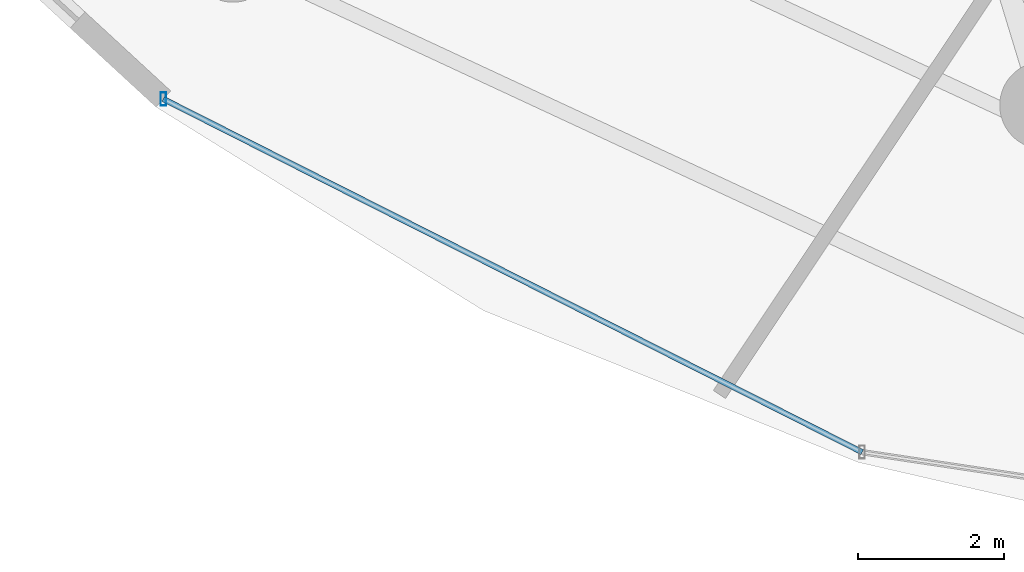
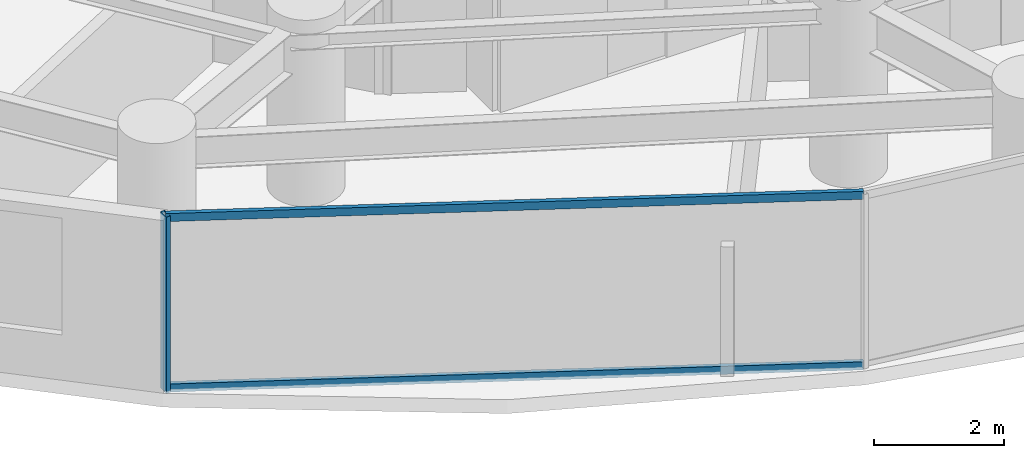
# One storey, part 2 of 34: 3 members, 1 element without a shape of its own.
"""IFC4 building model written with IfcOpenShell, lengths in metres."""

from ifc_helpers import new_model, si_unit, direction, frame, origin, origin_2d, place, context, subcontext, project, spatial, hollow_rectangle, extrude, material, material_profile, profile_set, type_object, element, aggregate, save


model = new_model("IFC4")

# Units and contexts
model_context = context("Model", 3, precision=1e-05, world=origin(), true_north=direction((0.0, 1.0)))
body_context = subcontext(model_context, "Body", "Model", "MODEL_VIEW")
ifc_project = project(units=[si_unit("LENGTHUNIT", "METRE"), si_unit("AREAUNIT", "SQUARE_METRE"), si_unit("VOLUMEUNIT", "CUBIC_METRE"), si_unit("PLANEANGLEUNIT", "RADIAN"), si_unit("MASSUNIT", "GRAM", prefix="KILO")], contexts=[model_context])

# Site, building, storey
site_placement = place(None, origin())
site = spatial("IfcSite", under=ifc_project, at=site_placement, CompositionType="ELEMENT")
building_placement = place(site_placement, origin())
building = spatial("IfcBuilding", under=site, at=building_placement, Name="Vorneva Point Tower", CompositionType="ELEMENT")
storey_placement = place(building_placement, frame((0.0, 0.0, 62.5)))
storey = spatial("IfcBuildingStorey", under=building, at=storey_placement, Name="L16", CompositionType="ELEMENT", Elevation=62.5)

# Curtain wall, members
ifc_material = material(Name="Pale anodised aluminium", Category="aluminium")
curtain_wall_type = type_object("IfcCurtainWallType", Name="CW-HTL-SYS", PredefinedType="NOTDEFINED", material=ifc_material)
curtain_wall_placement = place(storey_placement, origin())
curtain_wall = element("IfcCurtainWall", 1, at=curtain_wall_placement, inside=storey, type_object=curtain_wall_type, Name="L16 Unitised Curtain Wall CW-L16-R04", PredefinedType="NOTDEFINED")
ifc_material_profile_1 = material_profile(ifc_material, hollow_rectangle(XDim=0.074951171875, YDim=0.179931640625, WallThickness=0.00390625, at=origin_2d()), Name="AL-MUL 180x75x4")
ifc_profile_set_1 = profile_set([ifc_material_profile_1], Name="Pale anodised aluminium")
member_type_1 = type_object("IfcMemberType", Name="CW-MUL-180", PredefinedType="MULLION", material=ifc_profile_set_1)
member_1_placement = place(storey_placement, frame((17.10498046875, 10.1962890625, -0.0400390625), z_axis=(0.0, 0.0, 1.0), x_axis=(1.0, 0.0, 0.0)))
member_1 = element("IfcMember", 2, at=member_1_placement, type_object=member_type_1, Name="CW-L16-R04 Mullion 01", PredefinedType="MULLION", context=body_context, shape_type="SweptSolid", body=[
    extrude(hollow_rectangle(XDim=0.074951171875, YDim=0.179931640625, WallThickness=0.00390625, at=origin_2d()), origin(), (0.0, 0.0, 1.0), 3.31005859375),
])
ifc_material_profile_2 = material_profile(ifc_material, hollow_rectangle(XDim=0.074951171875, YDim=0.14990234375, WallThickness=0.00390625, at=origin_2d()), Name="AL-TRN 150x75x4")
ifc_profile_set_2 = profile_set([ifc_material_profile_2], Name="Pale anodised aluminium")
member_type_2 = type_object("IfcMemberType", Name="CW-TRN-150", PredefinedType="USERDEFINED", material=ifc_profile_set_2)
member_2_placement = place(storey_placement, frame((17.10498046875, 10.1962890625, 0.02001953125), z_axis=(0.892496057621, -0.451055192999, 0.0), x_axis=(0.451055192999, 0.892496057621, 0.0)))
member_2 = element("IfcMember", 3, at=member_2_placement, type_object=member_type_2, Name="CW-L16-R04 Transom 01.1", ObjectType="TRANSOM", PredefinedType="USERDEFINED", context=body_context, shape_type="SweptSolid", body=[
    extrude(hollow_rectangle(XDim=0.074951171875, YDim=0.14990234375, WallThickness=0.00390625, at=origin_2d()), origin(), (0.0, 0.0, 1.0), 10.741455078125),
])
member_3_placement = place(storey_placement, frame((17.10498046875, 10.1962890625, 3.219970703125), z_axis=(0.892496057621, -0.451055192999, 0.0), x_axis=(0.451055192999, 0.892496057621, 0.0)))
member_3 = element("IfcMember", 4, at=member_3_placement, type_object=member_type_2, Name="CW-L16-R04 Transom 01.2", ObjectType="TRANSOM", PredefinedType="USERDEFINED", context=body_context, shape_type="SweptSolid", body=[
    extrude(hollow_rectangle(XDim=0.074951171875, YDim=0.14990234375, WallThickness=0.00390625, at=origin_2d()), origin(), (0.0, 0.0, 1.0), 10.741455078125),
])
aggregate(curtain_wall, [member_1, member_2, member_3])

save(model, "model.ifc")
